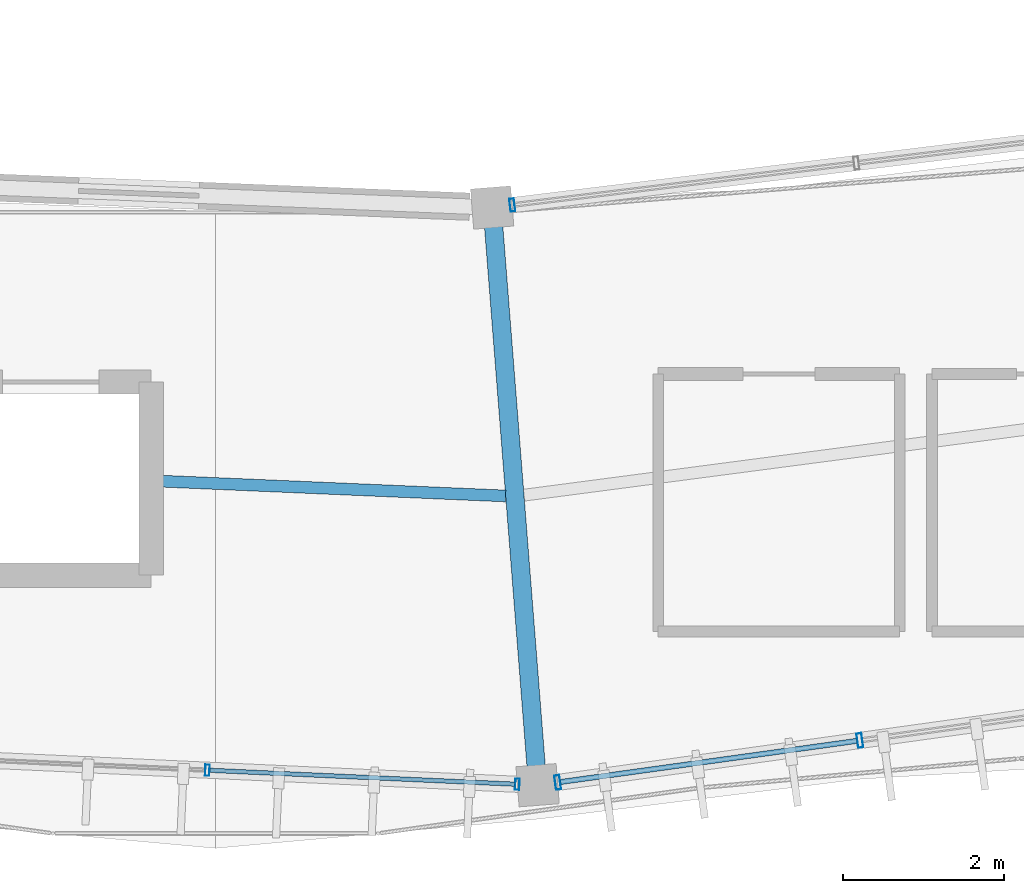
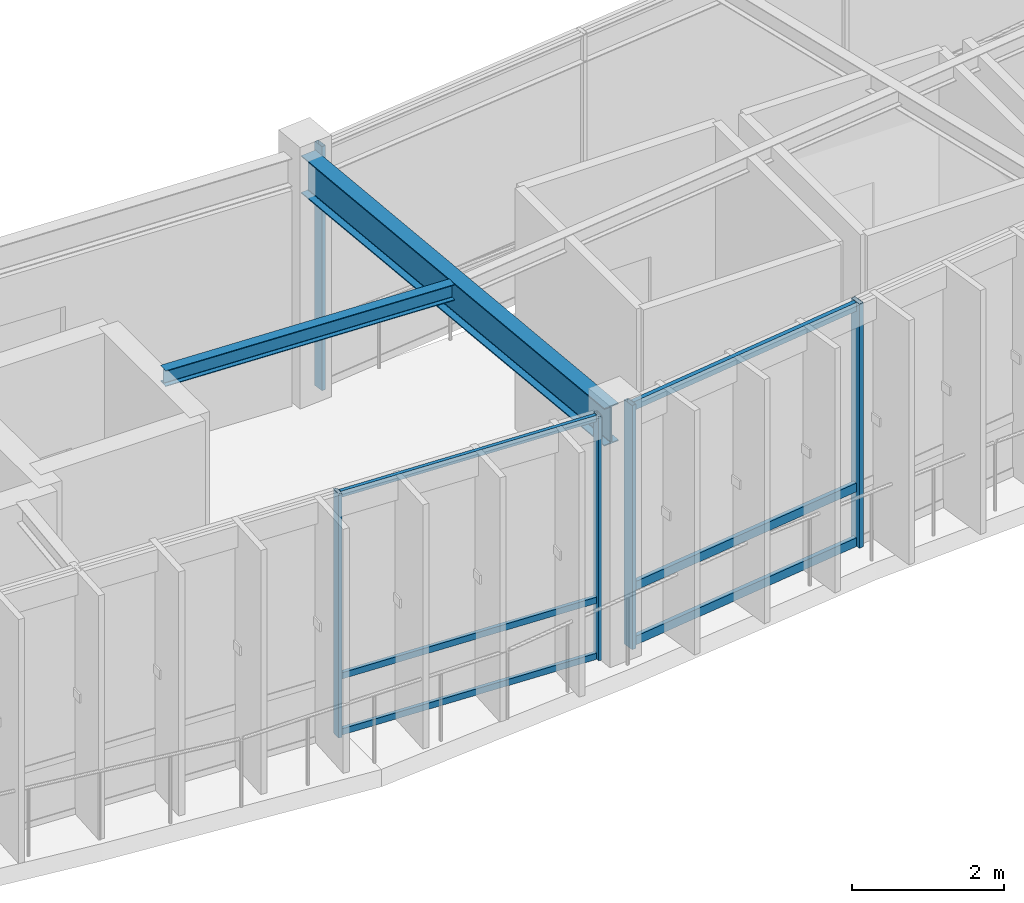
# One storey, part 18 of 78: 11 members, 2 beams, 3 elements without a shape of their own.
"""IFC4 building model written with IfcOpenShell, lengths in metres."""

from ifc_helpers import new_model, si_unit, direction, frame, origin, origin_2d, place, context, subcontext, project, spatial, hollow_rectangle, i_section, extrude, material, material_profile, profile_set, type_object, element, aggregate, save


model = new_model("IFC4")

# Units and contexts
model_context = context("Model", 3, precision=1e-05, world=origin(), true_north=direction((0.0, 1.0)))
body_context = subcontext(model_context, "Body", "Model", "MODEL_VIEW")
ifc_project = project(units=[si_unit("LENGTHUNIT", "METRE"), si_unit("AREAUNIT", "SQUARE_METRE"), si_unit("VOLUMEUNIT", "CUBIC_METRE"), si_unit("PLANEANGLEUNIT", "RADIAN"), si_unit("MASSUNIT", "GRAM", prefix="KILO"), si_unit("THERMODYNAMICTEMPERATUREUNIT", "KELVIN"), si_unit("POWERUNIT", "WATT")], contexts=[model_context])

# Site, building, storey
site_placement = place(None, origin())
site = spatial("IfcSite", under=ifc_project, at=site_placement, CompositionType="ELEMENT")
building_placement = place(site_placement, origin())
building = spatial("IfcBuilding", under=site, at=building_placement, Name="Darbajah Civic Hall", CompositionType="ELEMENT")
storey_placement = place(building_placement, frame((0.0, 0.0, 26.39990234375)))
storey = spatial("IfcBuildingStorey", under=building, at=storey_placement, Name="L06", CompositionType="ELEMENT", Elevation=26.39990234375)

# Curtain wall, members
ifc_material_1 = material(Name="Anodised Bronze Aluminium and Low-E Glazing", Category="aluminium")
curtain_wall_type_1 = type_object("IfcCurtainWallType", Name="Unitised Curtain Wall CW-84 15400x3900", PredefinedType="USERDEFINED", material=ifc_material_1)
curtain_wall_1_placement = place(storey_placement, origin())
curtain_wall_1 = element("IfcCurtainWall", 1, at=curtain_wall_1_placement, inside=storey, type_object=curtain_wall_type_1, Name="L06 unitised curtain wall CW-V1O-L06-14", ObjectType="UNITISED CURTAIN WALL", PredefinedType="USERDEFINED")
ifc_material_2 = material(Name="Anodised Bronze Aluminium", Category="aluminium")
ifc_material_profile_1 = material_profile(ifc_material_2, hollow_rectangle(XDim=0.054931640625, YDim=0.139892578125, WallThickness=0.003173828125, at=origin_2d()), Name="ALU MULLION 55x140")
ifc_profile_set_1 = profile_set([ifc_material_profile_1], Name="Anodised Bronze Aluminium")
member_type_1 = type_object("IfcMemberType", Name="ALU MULLION 55x140", PredefinedType="MULLION", material=ifc_profile_set_1)
member_1_placement = place(storey_placement, frame((88.998779296875, 60.57763671875, 0.0), z_axis=(0.0, 0.0, 1.0), x_axis=(0.998962637241, -0.045537340693, 0.0)))
member_1 = element("IfcMember", 2, at=member_1_placement, type_object=member_type_1, Name="CW-V1O-L06-14 mullion 4", PredefinedType="MULLION", context=body_context, shape_type="SweptSolid", body=[
    extrude(hollow_rectangle(XDim=0.054931640625, YDim=0.139892578125, WallThickness=0.003173828125, at=origin_2d()), origin(), (0.0, 0.0, 1.0), 3.920166015625),
])
member_2_placement = place(storey_placement, frame((92.849609375, 60.40234375, 0.0), z_axis=(0.0, 0.0, 1.0), x_axis=(0.998962637241, -0.045537340693, 0.0)))
member_2 = element("IfcMember", 3, at=member_2_placement, type_object=member_type_1, Name="CW-V1O-L06-14 mullion 5", PredefinedType="MULLION", context=body_context, shape_type="SweptSolid", body=[
    extrude(hollow_rectangle(XDim=0.054931640625, YDim=0.139892578125, WallThickness=0.003173828125, at=origin_2d()), origin(), (0.0, 0.0, 1.0), 3.920166015625),
])

# Curtain wall, member
curtain_wall_type_2 = type_object("IfcCurtainWallType", Name="Unitised Curtain Wall CW-73 12900x3900", PredefinedType="USERDEFINED", material=ifc_material_1)
curtain_wall_2_placement = place(storey_placement, origin())
curtain_wall_2 = element("IfcCurtainWall", 4, at=curtain_wall_2_placement, inside=storey, type_object=curtain_wall_type_2, Name="L06 unitised curtain wall CW-V1I-L06-15", ObjectType="UNITISED CURTAIN WALL", PredefinedType="USERDEFINED")
ifc_material_profile_2 = material_profile(ifc_material_2, hollow_rectangle(XDim=0.06005859375, YDim=0.159912109375, WallThickness=0.00341796875, at=origin_2d()), Name="ALU MULLION 60x160")
ifc_profile_set_2 = profile_set([ifc_material_profile_2], Name="Anodised Bronze Aluminium")
member_type_2 = type_object("IfcMemberType", Name="ALU MULLION 60x160", PredefinedType="MULLION", material=ifc_profile_set_2)
member_3_placement = place(storey_placement, frame((92.78662109375, 67.599365234375, 0.0), z_axis=(0.0, 0.0, 1.0), x_axis=(0.992609826221, 0.121349630774, 0.0)))
member_3 = element("IfcMember", 5, at=member_3_placement, type_object=member_type_2, Name="CW-V1I-L06-15 mullion 1", PredefinedType="MULLION", context=body_context, shape_type="SweptSolid", body=[
    extrude(hollow_rectangle(XDim=0.06005859375, YDim=0.159912109375, WallThickness=0.00341796875, at=origin_2d()), origin(), (0.0, 0.0, 1.0), 3.920166015625),
])
aggregate(curtain_wall_2, [member_3])

# Curtain wall, members
curtain_wall_type_3 = type_object("IfcCurtainWallType", Name="Unitised Curtain Wall CW-91 15200x3900", PredefinedType="USERDEFINED", material=ifc_material_1)
curtain_wall_3_placement = place(storey_placement, origin())
curtain_wall_3 = element("IfcCurtainWall", 6, at=curtain_wall_3_placement, inside=storey, type_object=curtain_wall_type_3, Name="L06 unitised curtain wall CW-V1O-L06-15", ObjectType="UNITISED CURTAIN WALL", PredefinedType="USERDEFINED")
ifc_material_profile_3 = material_profile(ifc_material_2, hollow_rectangle(XDim=0.06494140625, YDim=0.179931640625, WallThickness=0.00390625, at=origin_2d()), Name="ALU MULLION 65x180")
ifc_profile_set_3 = profile_set([ifc_material_profile_3], Name="Anodised Bronze Aluminium")
member_type_3 = type_object("IfcMemberType", Name="ALU MULLION 65x180", PredefinedType="MULLION", material=ifc_profile_set_3)
member_4_placement = place(storey_placement, frame((93.35107421875, 60.425537109375, 0.0), z_axis=(0.0, 0.0, 1.0), x_axis=(0.990485459553, 0.137617420457, 0.0)))
member_4 = element("IfcMember", 7, at=member_4_placement, type_object=member_type_3, Name="CW-V1O-L06-15 mullion 1", PredefinedType="MULLION", context=body_context, shape_type="SweptSolid", body=[
    extrude(hollow_rectangle(XDim=0.06494140625, YDim=0.179931640625, WallThickness=0.00390625, at=origin_2d()), origin(), (0.0, 0.0, 1.0), 3.920166015625),
])
member_5_placement = place(storey_placement, frame((97.10498046875, 60.947021484375, 0.0), z_axis=(0.0, 0.0, 1.0), x_axis=(0.990485459553, 0.137617420457, 0.0)))
member_5 = element("IfcMember", 8, at=member_5_placement, type_object=member_type_3, Name="CW-V1O-L06-15 mullion 2", PredefinedType="MULLION", context=body_context, shape_type="SweptSolid", body=[
    extrude(hollow_rectangle(XDim=0.06494140625, YDim=0.179931640625, WallThickness=0.00390625, at=origin_2d()), origin(), (0.0, 0.0, 1.0), 3.920166015625),
])

# Member
ifc_material_profile_4 = material_profile(ifc_material_2, hollow_rectangle(XDim=0.054931640625, YDim=0.10009765625, WallThickness=0.0029296875, at=origin_2d()), Name="ALU TRANSOM 55x100")
ifc_profile_set_4 = profile_set([ifc_material_profile_4], Name="Anodised Bronze Aluminium")
member_type_4 = type_object("IfcMemberType", Name="ALU TRANSOM 55x100", PredefinedType="USERDEFINED", material=ifc_profile_set_4)
member_6_placement = place(storey_placement, frame((89.03125, 60.576171875, 0.050048828125), z_axis=(0.998965216906, -0.045480714718, 0.0), x_axis=(0.045480714718, 0.998965216906, 0.0)))
member_6 = element("IfcMember", 9, at=member_6_placement, type_object=member_type_4, Name="CW-V1O-L06-14 transom 4.1", ObjectType="TRANSOM", PredefinedType="USERDEFINED", context=body_context, shape_type="SweptSolid", body=[
    extrude(hollow_rectangle(XDim=0.054931640625, YDim=0.10009765625, WallThickness=0.0029296875, at=origin_2d()), origin(), (0.0, 0.0, 1.0), 3.789794921875),
])

member_7_placement = place(storey_placement, frame((89.03125, 60.576171875, 0.9501953125), z_axis=(0.998965216906, -0.045480714718, 0.0), x_axis=(0.045480714718, 0.998965216906, 0.0)))
member_7 = element("IfcMember", 10, at=member_7_placement, type_object=member_type_4, Name="CW-V1O-L06-14 transom 4.2", ObjectType="TRANSOM", PredefinedType="USERDEFINED", context=body_context, shape_type="SweptSolid", body=[
    extrude(hollow_rectangle(XDim=0.054931640625, YDim=0.10009765625, WallThickness=0.0029296875, at=origin_2d()), origin(), (0.0, 0.0, 1.0), 3.789794921875),
])

member_8_placement = place(storey_placement, frame((89.03125, 60.576171875, 3.8701171875), z_axis=(0.998965216906, -0.045480714718, 0.0), x_axis=(0.045480714718, 0.998965216906, 0.0)))
member_8 = element("IfcMember", 11, at=member_8_placement, type_object=member_type_4, Name="CW-V1O-L06-14 transom 4.3", ObjectType="TRANSOM", PredefinedType="USERDEFINED", context=body_context, shape_type="SweptSolid", body=[
    extrude(hollow_rectangle(XDim=0.054931640625, YDim=0.10009765625, WallThickness=0.0029296875, at=origin_2d()), origin(), (0.0, 0.0, 1.0), 3.789794921875),
])

aggregate(curtain_wall_1, [member_1, member_2, member_6, member_7, member_8])

ifc_material_profile_5 = material_profile(ifc_material_2, hollow_rectangle(XDim=0.06494140625, YDim=0.139892578125, WallThickness=0.00341796875, at=origin_2d()), Name="ALU TRANSOM 65x140")
ifc_profile_set_5 = profile_set([ifc_material_profile_5], Name="Anodised Bronze Aluminium")
member_type_5 = type_object("IfcMemberType", Name="ALU TRANSOM 65x140", PredefinedType="USERDEFINED", material=ifc_profile_set_5)
member_9_placement = place(storey_placement, frame((93.38818359375, 60.430908203125, 0.070068359375), z_axis=(0.990495257846, 0.137546879954, 0.0), x_axis=(-0.137546879954, 0.990495257846, 0.0)))
member_9 = element("IfcMember", 12, at=member_9_placement, type_object=member_type_5, Name="CW-V1O-L06-15 transom 1.1", ObjectType="TRANSOM", PredefinedType="USERDEFINED", context=body_context, shape_type="SweptSolid", body=[
    extrude(hollow_rectangle(XDim=0.06494140625, YDim=0.139892578125, WallThickness=0.00341796875, at=origin_2d()), origin(), (0.0, 0.0, 1.0), 3.715087890625),
])

member_10_placement = place(storey_placement, frame((93.38818359375, 60.430908203125, 0.9501953125), z_axis=(0.990495257846, 0.137546879954, 0.0), x_axis=(-0.137546879954, 0.990495257846, 0.0)))
member_10 = element("IfcMember", 13, at=member_10_placement, type_object=member_type_5, Name="CW-V1O-L06-15 transom 1.2", ObjectType="TRANSOM", PredefinedType="USERDEFINED", context=body_context, shape_type="SweptSolid", body=[
    extrude(hollow_rectangle(XDim=0.06494140625, YDim=0.139892578125, WallThickness=0.00341796875, at=origin_2d()), origin(), (0.0, 0.0, 1.0), 3.715087890625),
])

member_11_placement = place(storey_placement, frame((93.38818359375, 60.430908203125, 3.85009765625), z_axis=(0.990495257846, 0.137546879954, 0.0), x_axis=(-0.137546879954, 0.990495257846, 0.0)))
member_11 = element("IfcMember", 14, at=member_11_placement, type_object=member_type_5, Name="CW-V1O-L06-15 transom 1.3", ObjectType="TRANSOM", PredefinedType="USERDEFINED", context=body_context, shape_type="SweptSolid", body=[
    extrude(hollow_rectangle(XDim=0.06494140625, YDim=0.139892578125, WallThickness=0.00341796875, at=origin_2d()), origin(), (0.0, 0.0, 1.0), 3.715087890625),
])

aggregate(curtain_wall_3, [member_4, member_5, member_9, member_10, member_11])

# Beams
ifc_material_3 = material(Name="Steel S355JR", Category="steel")
ifc_material_profile_6 = material_profile(ifc_material_3, i_section(OverallWidth=0.146484375, OverallDepth=0.256103515625, WebThickness=0.00634765625, FlangeThickness=0.010986328125, FilletRadius=0.007568359375, at=origin_2d()), Name="UB 254x146x37")
ifc_profile_set_6 = profile_set([ifc_material_profile_6], Name="Steel S355JR")
beam_type_1 = type_object("IfcBeamType", Name="UB 254x146x37", PredefinedType="JOIST", material=ifc_profile_set_6)
beam_1_placement = place(storey_placement, frame((88.419921875, 64.1689453125, 3.7919921875), z_axis=(0.999077737956, -0.042938019518, 0.0), x_axis=(0.042938019518, 0.999077737956, 0.0)))
element("IfcBeam", 15, at=beam_1_placement, inside=storey, type_object=beam_type_1, Name="L06 beam SJ-254", PredefinedType="JOIST", context=body_context, shape_type="SweptSolid", body=[
    extrude(i_section(OverallWidth=0.146484375, OverallDepth=0.256103515625, WebThickness=0.00634765625, FlangeThickness=0.010986328125, FilletRadius=0.007568359375, at=origin_2d()), origin(), (0.0, 0.0, 1.0), 4.287109375),
])
ifc_material_profile_7 = material_profile(ifc_material_3, i_section(OverallWidth=0.228271484375, OverallDepth=0.607666015625, WebThickness=0.010986328125, FlangeThickness=0.017333984375, FilletRadius=0.0126953125, at=origin_2d()), Name="UB 610x229x113")
ifc_profile_set_7 = profile_set([ifc_material_profile_7], Name="Steel S355JR")
beam_type_2 = type_object("IfcBeamType", Name="UB 610x229x113", PredefinedType="BEAM", material=ifc_profile_set_7)
beam_2_placement = place(storey_placement, frame((92.542724609375, 67.489013671875, 3.6162109375), z_axis=(0.078478466478, -0.996915809033, 0.0), x_axis=(0.996915809033, 0.078478466478, 0.0)))
element("IfcBeam", 16, at=beam_2_placement, inside=storey, type_object=beam_type_2, Name="L06 beam SB-610", PredefinedType="BEAM", context=body_context, shape_type="SweptSolid", body=[
    extrude(i_section(OverallWidth=0.228271484375, OverallDepth=0.607666015625, WebThickness=0.010986328125, FlangeThickness=0.017333984375, FilletRadius=0.0126953125, at=origin_2d()), origin(), (0.0, 0.0, 1.0), 7.0400390625),
])

save(model, "model.ifc")
